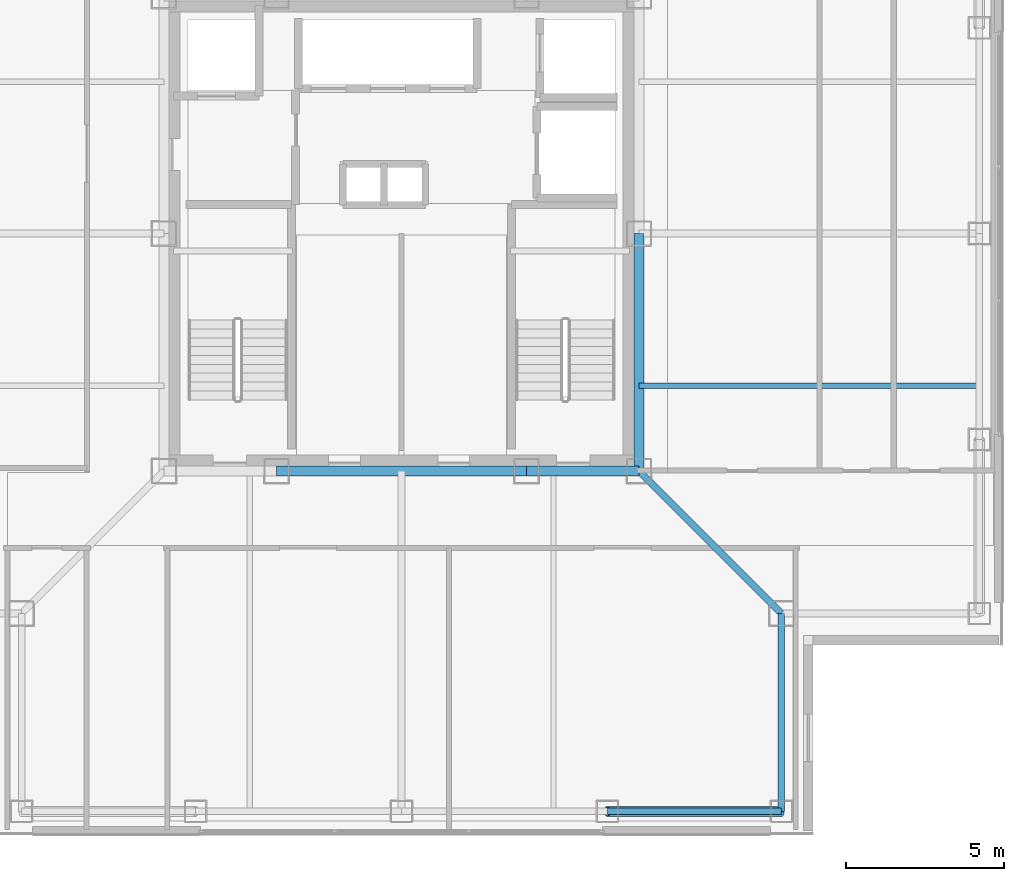
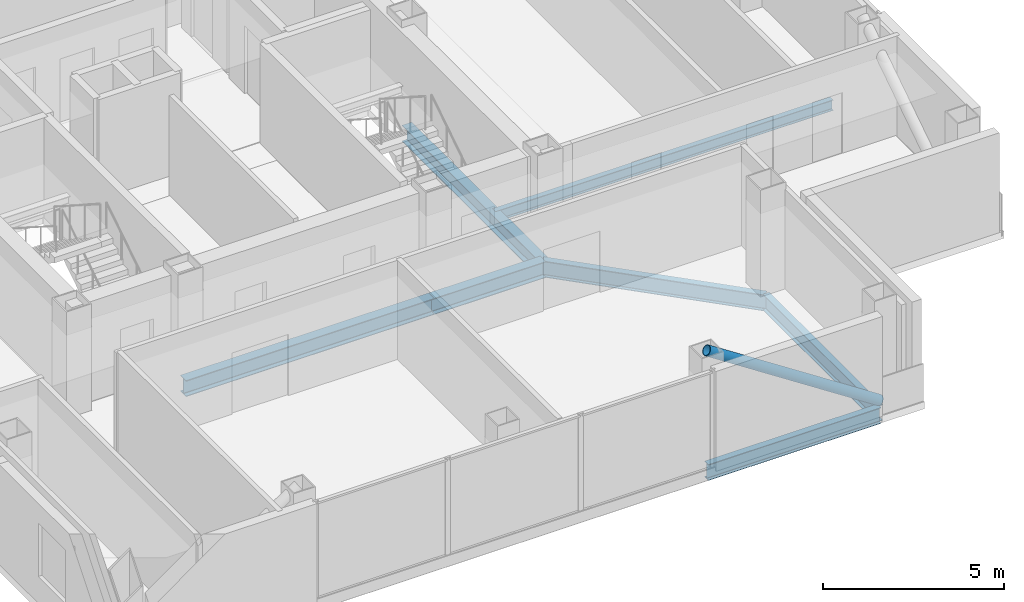
# One storey, part 3 of 16: 7 beams, 1 member.
"""IFC4 building model written with IfcOpenShell, lengths in metres."""

from ifc_helpers import new_model, si_unit, direction, frame, origin, origin_2d, place, context, subcontext, project, spatial, hollow_circle, i_section, extrude, material, material_profile, profile_set, type_object, element, save


model = new_model("IFC4")

# Units and contexts
model_context = context("Model", 3, precision=1e-05, world=origin(), true_north=direction((0.0, 1.0)))
body_context = subcontext(model_context, "Body", "Model", "MODEL_VIEW")
ifc_project = project(units=[si_unit("LENGTHUNIT", "METRE"), si_unit("AREAUNIT", "SQUARE_METRE"), si_unit("VOLUMEUNIT", "CUBIC_METRE"), si_unit("PLANEANGLEUNIT", "RADIAN"), si_unit("MASSUNIT", "GRAM", prefix="KILO")], contexts=[model_context])

# Site, building, storey
site_placement = place(None, origin())
site = spatial("IfcSite", under=ifc_project, at=site_placement, CompositionType="ELEMENT")
building_placement = place(site_placement, origin())
building = spatial("IfcBuilding", under=site, at=building_placement, Name="Trevonay Congress Spire", CompositionType="ELEMENT")
storey_placement = place(building_placement, frame((0.0, 0.0, 268.39990234375)))
storey = spatial("IfcBuildingStorey", under=building, at=storey_placement, Name="L70", CompositionType="ELEMENT", Elevation=268.39990234375)

# Beams
ifc_material_1 = material(Name="Steel ASTM A572 Grade 50", Category="steel")
ifc_material_profile_1 = material_profile(ifc_material_1, i_section(OverallWidth=0.2119140625, OverallDepth=0.5439453125, WebThickness=0.01318359375, FlangeThickness=0.021240234375, FilletRadius=0.014892578125, at=origin_2d()), Name="W530x123")
ifc_profile_set_1 = profile_set([ifc_material_profile_1], Name="Steel ASTM A572 Grade 50")
beam_type_1 = type_object("IfcBeamType", Name="BM-GIRD-W530X123", PredefinedType="BEAM", material=ifc_profile_set_1)
beam_1_placement = place(storey_placement, frame((7.5, -7.5, -0.511962890625), z_axis=(0.707106781187, -0.707106781187, 0.0), x_axis=(0.707106781187, 0.707106781187, 0.0)))
element("IfcBeam", 1, at=beam_1_placement, inside=storey, type_object=beam_type_1, Name="L70 structural beam BM-L70-CDSE", PredefinedType="BEAM", context=body_context, shape_type="SweptSolid", body=[
    extrude(i_section(OverallWidth=0.2119140625, OverallDepth=0.5439453125, WebThickness=0.01318359375, FlangeThickness=0.021240234375, FilletRadius=0.014892578125, at=origin_2d()), origin(), (0.0, 0.0, 1.0), 6.364013671875),
])
ifc_material_profile_2 = material_profile(ifc_material_1, i_section(OverallWidth=0.31201171875, OverallDepth=0.54296875, WebThickness=0.0126953125, FlangeThickness=0.020263671875, FilletRadius=0.014892578125, at=origin_2d()), Name="W530x150")
ifc_profile_set_2 = profile_set([ifc_material_profile_2], Name="Steel ASTM A572 Grade 50")
beam_type_2 = type_object("IfcBeamType", Name="BM-GIRD-W530X150", PredefinedType="BEAM", material=ifc_profile_set_2)
beam_2_placement = place(storey_placement, frame((-3.949951171875, -7.5, -0.511474609375), z_axis=(1.0, 0.0, 0.0), x_axis=(0.0, 1.0, 0.0)))
element("IfcBeam", 2, at=beam_2_placement, inside=storey, type_object=beam_type_2, Name="L70 structural beam BM-L70-CR-S2", PredefinedType="BEAM", context=body_context, shape_type="SweptSolid", body=[
    extrude(i_section(OverallWidth=0.31201171875, OverallDepth=0.54296875, WebThickness=0.0126953125, FlangeThickness=0.020263671875, FilletRadius=0.014892578125, at=origin_2d()), origin(), (0.0, 0.0, 1.0), 7.89990234375),
])
beam_3_placement = place(storey_placement, frame((3.949951171875, -7.5, -0.511474609375), z_axis=(1.0, 0.0, 0.0), x_axis=(0.0, 1.0, 0.0)))
element("IfcBeam", 3, at=beam_3_placement, inside=storey, type_object=beam_type_2, Name="L70 structural beam BM-L70-CR-S3", PredefinedType="BEAM", context=body_context, shape_type="SweptSolid", body=[
    extrude(i_section(OverallWidth=0.31201171875, OverallDepth=0.54296875, WebThickness=0.0126953125, FlangeThickness=0.020263671875, FilletRadius=0.014892578125, at=origin_2d()), origin(), (0.0, 0.0, 1.0), 3.550048828125),
])
beam_4_placement = place(storey_placement, frame((7.5, -7.5, -0.511474609375), z_axis=(0.0, 1.0, 0.0), x_axis=(-1.0, 0.0, 0.0)))
element("IfcBeam", 4, at=beam_4_placement, inside=storey, type_object=beam_type_2, Name="L70 structural beam BM-L70-CR-E1", PredefinedType="BEAM", context=body_context, shape_type="SweptSolid", body=[
    extrude(i_section(OverallWidth=0.31201171875, OverallDepth=0.54296875, WebThickness=0.0126953125, FlangeThickness=0.020263671875, FilletRadius=0.014892578125, at=origin_2d()), origin(), (0.0, 0.0, 1.0), 7.5),
])
ifc_material_profile_3 = material_profile(ifc_material_1, i_section(OverallWidth=0.208984375, OverallDepth=0.532958984375, WebThickness=0.01025390625, FlangeThickness=0.015625, FilletRadius=0.014892578125, at=origin_2d()), Name="W530x92")
ifc_profile_set_3 = profile_set([ifc_material_profile_3], Name="Steel ASTM A572 Grade 50")
beam_type_3 = type_object("IfcBeamType", Name="BM-RING-W530X92", PredefinedType="BEAM", material=ifc_profile_set_3)
beam_5_placement = place(storey_placement, frame((6.5, -18.25, -0.50634765625), z_axis=(1.0, 0.0, 0.0), x_axis=(0.0, 1.0, 0.0)))
element("IfcBeam", 5, at=beam_5_placement, inside=storey, type_object=beam_type_3, Name="L70 structural beam BM-L70-PS4", PredefinedType="BEAM", context=body_context, shape_type="SweptSolid", body=[
    extrude(i_section(OverallWidth=0.208984375, OverallDepth=0.532958984375, WebThickness=0.01025390625, FlangeThickness=0.015625, FilletRadius=0.014892578125, at=origin_2d()), origin(), (0.0, 0.0, 1.0), 5.5),
])
beam_6_placement = place(storey_placement, frame((12.0, -18.25, -0.50634765625), z_axis=(0.0, 1.0, 0.0), x_axis=(-1.0, 0.0, 0.0)))
element("IfcBeam", 6, at=beam_6_placement, inside=storey, type_object=beam_type_3, Name="L70 structural beam BM-L70-N1SE", PredefinedType="BEAM", context=body_context, shape_type="SweptSolid", body=[
    extrude(i_section(OverallWidth=0.208984375, OverallDepth=0.532958984375, WebThickness=0.01025390625, FlangeThickness=0.015625, FilletRadius=0.014892578125, at=origin_2d()), origin(), (0.0, 0.0, 1.0), 6.25),
])
ifc_material_profile_4 = material_profile(ifc_material_1, i_section(OverallWidth=0.172119140625, OverallDepth=0.35791015625, WebThickness=0.0078125, FlangeThickness=0.01318359375, FilletRadius=0.011962890625, at=origin_2d()), Name="W360x57.8")
ifc_profile_set_4 = profile_set([ifc_material_profile_4], Name="Steel ASTM A572 Grade 50")
beam_type_4 = type_object("IfcBeamType", Name="JS-COMP-W360X57", PredefinedType="JOIST", material=ifc_profile_set_4)
beam_7_placement = place(storey_placement, frame((7.5, -4.800048828125, -0.4189453125), z_axis=(1.0, 0.0, 0.0), x_axis=(0.0, 1.0, 0.0)))
element("IfcBeam", 7, at=beam_7_placement, inside=storey, type_object=beam_type_4, Name="L70 structural beam JS-L70-EW-E1", PredefinedType="JOIST", context=body_context, shape_type="SweptSolid", body=[
    extrude(i_section(OverallWidth=0.172119140625, OverallDepth=0.35791015625, WebThickness=0.0078125, FlangeThickness=0.01318359375, FilletRadius=0.011962890625, at=origin_2d()), origin(), (0.0, 0.0, 1.0), 10.75),
])

# Member
ifc_material_2 = material(Name="Steel ASTM A500 Grade C", Category="steel")
ifc_material_profile_5 = material_profile(ifc_material_2, hollow_circle(Radius=0.161865234375, WallThickness=0.01611328125, at=origin_2d()), Name="CHS 323.9x16")
ifc_profile_set_5 = profile_set([ifc_material_profile_5], Name="Steel ASTM A500 Grade C")
member_type = type_object("IfcMemberType", Name="MBR-TUBE-CHS324", PredefinedType="BRACE", material=ifc_profile_set_5)
member_placement = place(storey_placement, frame((12.0, -18.25, -0.0498046875), z_axis=(-0.836711728151, 0.0, 0.547643573845), x_axis=(0.0, -1.0, 0.0)))
element("IfcMember", 8, at=member_placement, inside=storey, type_object=member_type, Name="L70 perimeter braced-tube diagonal S3", PredefinedType="BRACE", context=body_context, shape_type="SweptSolid", body=[
    extrude(hollow_circle(Radius=0.161865234375, WallThickness=0.01611328125, at=origin_2d()), origin(), (0.0, 0.0, 1.0), 6.5732421875),
])

save(model, "model.ifc")
